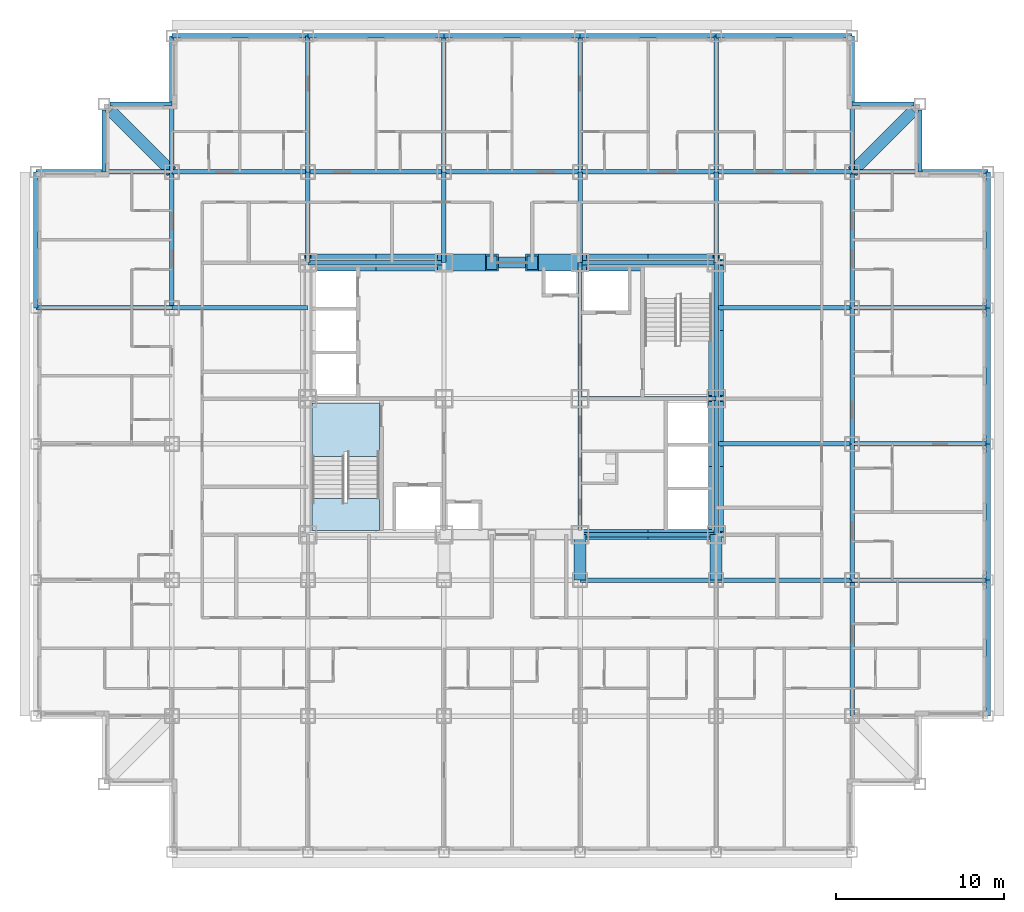
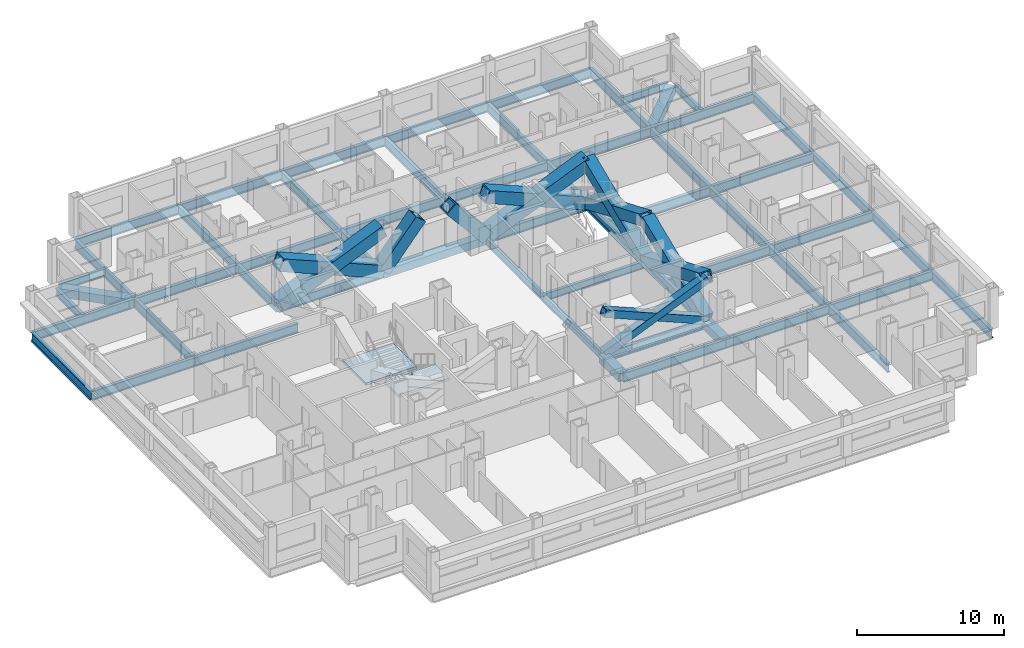
# One storey, part 2 of 14: 58 beams, 12 members, 2 slabs, 1 element without a shape of its own.
"""IFC4 building model written with IfcOpenShell, lengths in metres."""

from ifc_helpers import new_model, si_unit, direction, frame, origin, origin_2d, place, context, subcontext, project, spatial, polyline, hollow_rectangle, i_section, outline, extrude, material, layer, layer_set, material_profile, profile_set, type_object, element, aggregate, save


model = new_model("IFC4")

# Units and contexts
model_context = context("Model", 3, precision=1e-05, world=origin(), true_north=direction((0.0, 1.0)))
body_context = subcontext(model_context, "Body", "Model", "MODEL_VIEW")
ifc_project = project(units=[si_unit("LENGTHUNIT", "METRE"), si_unit("AREAUNIT", "SQUARE_METRE"), si_unit("VOLUMEUNIT", "CUBIC_METRE"), si_unit("PLANEANGLEUNIT", "RADIAN"), si_unit("MASSUNIT", "GRAM", prefix="KILO")], contexts=[model_context])

# Site, building, storey
site_placement = place(None, origin())
site = spatial("IfcSite", under=ifc_project, at=site_placement, CompositionType="ELEMENT")
building_placement = place(site_placement, origin())
building = spatial("IfcBuilding", under=site, at=building_placement, Name="Kopane Lantern Tower", CompositionType="ELEMENT")
storey_placement = place(building_placement, frame((0.0, 0.0, 151.0)))
storey = spatial("IfcBuildingStorey", under=building, at=storey_placement, Name="L39", CompositionType="ELEMENT", Elevation=151.0)

# Members
ifc_material_1 = material(Name="Steel S355JR", Category="steel")
ifc_material_profile_1 = material_profile(ifc_material_1, hollow_rectangle(XDim=1.0, YDim=1.0, WallThickness=0.10009765625, at=origin_2d()), Name="BOX 1000x1000x100")
ifc_profile_set_1 = profile_set([ifc_material_profile_1], Name="Steel S355JR")
member_type_1 = type_object("IfcMemberType", Name="BRACE BOX 1000x1000x100", PredefinedType="BRACE", material=ifc_profile_set_1)
for number, where, z_axis, x_axis, name in (
    (1, (16.199951171875, 40.5, -0.2099609375), (0.922069000757, 0.0, 0.387025526088), (0.0, 1.0, 0.0), "Core brace L39"),
    (2, (24.300048828125, 40.5, -0.2099609375), (-0.922069000757, 0.0, 0.387025526088), (0.0, -1.0, 0.0), "Core brace L39"),
):
    element("IfcMember", number, at=place(storey_placement, frame(where, z_axis=z_axis, x_axis=x_axis)), inside=storey, type_object=member_type_1, Name=name, PredefinedType="BRACE", context=body_context, shape_type="SweptSolid", body=[
        extrude(hollow_rectangle(XDim=1.0, YDim=1.0, WallThickness=0.10009765625, at=origin_2d()), origin(), (0.0, 0.0, 1.0), 8.78466796875),
    ])
for number, where, z_axis, x_axis, name in (
    (3, (24.300048828125, 40.5, -0.2099609375), (0.642390257445, 0.0, 0.7663776857), (0.0, 1.0, 0.0), "Core brace L39"),
    (4, (32.39990234375, 40.5, -0.2099609375), (-0.642390257445, 0.0, 0.7663776857), (0.0, -1.0, 0.0), "Core brace L39"),
):
    element("IfcMember", number, at=place(storey_placement, frame(where, z_axis=z_axis, x_axis=x_axis)), inside=storey, type_object=member_type_1, Name=name, PredefinedType="BRACE", context=body_context, shape_type="SweptSolid", body=[
        extrude(hollow_rectangle(XDim=1.0, YDim=1.0, WallThickness=0.10009765625, at=origin_2d()), origin(), (0.0, 0.0, 1.0), 4.436279296875),
    ])
for number, where, z_axis, x_axis, name in (
    (5, (32.39990234375, 40.5, -0.2099609375), (0.922069000757, 0.0, 0.387025526088), (0.0, 1.0, 0.0), "Core brace L39"),
    (6, (40.5, 40.5, -0.2099609375), (-0.922069000757, 0.0, 0.387025526088), (0.0, -1.0, 0.0), "Core brace L39"),
):
    element("IfcMember", number, at=place(storey_placement, frame(where, z_axis=z_axis, x_axis=x_axis)), inside=storey, type_object=member_type_1, Name=name, PredefinedType="BRACE", context=body_context, shape_type="SweptSolid", body=[
        extrude(hollow_rectangle(XDim=1.0, YDim=1.0, WallThickness=0.10009765625, at=origin_2d()), origin(), (0.0, 0.0, 1.0), 8.78466796875),
    ])
ifc_material_2 = material(Name="Steel S355JR", Category="steel")
ifc_material_profile_2 = material_profile(ifc_material_2, hollow_rectangle(XDim=0.60009765625, YDim=0.60009765625, WallThickness=0.050048828125, at=origin_2d()), Name="BOX 600x600x50")
ifc_profile_set_2 = profile_set([ifc_material_profile_2], Name="Steel S355JR")
member_type_2 = type_object("IfcMemberType", Name="BRACE BOX 600x600x50", PredefinedType="BRACE", material=ifc_profile_set_2)
for number, where, z_axis, x_axis, name in (
    (7, (32.39990234375, 24.300048828125, -0.2099609375), (0.922069000757, 0.0, 0.387025526088), (0.0, 1.0, 0.0), "Core brace L39"),
    (8, (40.5, 24.300048828125, -0.2099609375), (-0.922069000757, 0.0, 0.387025526088), (0.0, -1.0, 0.0), "Core brace L39"),
):
    element("IfcMember", number, at=place(storey_placement, frame(where, z_axis=z_axis, x_axis=x_axis)), inside=storey, type_object=member_type_2, Name=name, PredefinedType="BRACE", context=body_context, shape_type="SweptSolid", body=[
        extrude(hollow_rectangle(XDim=0.60009765625, YDim=0.60009765625, WallThickness=0.050048828125, at=origin_2d()), origin(), (0.0, 0.0, 1.0), 8.78466796875),
    ])
ifc_material_3 = material(Name="Steel S355JR", Category="steel")
ifc_material_profile_3 = material_profile(ifc_material_3, hollow_rectangle(XDim=0.89990234375, YDim=0.89990234375, WallThickness=0.090087890625, at=origin_2d()), Name="BOX 900x900x90")
ifc_profile_set_3 = profile_set([ifc_material_profile_3], Name="Steel S355JR")
member_type_3 = type_object("IfcMemberType", Name="BRACE BOX 900x900x90", PredefinedType="BRACE", material=ifc_profile_set_3)
for number, where, z_axis, x_axis, name in (
    (9, (40.5, 24.300048828125, -0.2099609375), (0.0, 0.922064837731, 0.38703544414), (-1.0, 0.0, 0.0), "Core brace L39"),
    (10, (40.5, 32.39990234375, -0.2099609375), (0.0, -0.922064837731, 0.38703544414), (1.0, 0.0, 0.0), "Core brace L39"),
):
    element("IfcMember", number, at=place(storey_placement, frame(where, z_axis=z_axis, x_axis=x_axis)), inside=storey, type_object=member_type_3, Name=name, PredefinedType="BRACE", context=body_context, shape_type="SweptSolid", body=[
        extrude(hollow_rectangle(XDim=0.89990234375, YDim=0.89990234375, WallThickness=0.090087890625, at=origin_2d()), origin(), (0.0, 0.0, 1.0), 8.784423828125),
    ])
for number, where, z_axis, x_axis, name in (
    (11, (40.5, 32.39990234375, -0.2099609375), (0.0, 0.922069000757, 0.387025526088), (-1.0, 0.0, 0.0), "Core brace L39"),
    (12, (40.5, 40.5, -0.2099609375), (0.0, -0.922069000757, 0.387025526088), (1.0, 0.0, 0.0), "Core brace L39"),
):
    element("IfcMember", number, at=place(storey_placement, frame(where, z_axis=z_axis, x_axis=x_axis)), inside=storey, type_object=member_type_3, Name=name, PredefinedType="BRACE", context=body_context, shape_type="SweptSolid", body=[
        extrude(hollow_rectangle(XDim=0.89990234375, YDim=0.89990234375, WallThickness=0.090087890625, at=origin_2d()), origin(), (0.0, 0.0, 1.0), 8.78466796875),
    ])

# Beams
ifc_material_4 = material(Name="Steel S355JR", Category="steel")
ifc_material_profile_4 = material_profile(ifc_material_4, i_section(OverallWidth=0.22900390625, OverallDepth=0.6123046875, WebThickness=0.011962890625, FlangeThickness=0.01953125, FilletRadius=0.0126953125, at=origin_2d()), Name="UB 610x229x125")
ifc_profile_set_4 = profile_set([ifc_material_profile_4], Name="Steel S355JR")
beam_type_1 = type_object("IfcBeamType", Name="CORE BEAM UB 610x229x125", PredefinedType="BEAM", material=ifc_profile_set_4)
beam_1_placement = place(storey_placement, frame((32.39990234375, 24.300048828125, -0.51611328125), z_axis=(0.0, 1.0, 0.0), x_axis=(-1.0, 0.0, 0.0)))
element("IfcBeam", 13, at=beam_1_placement, inside=storey, type_object=beam_type_1, Name="Core Beam L39", PredefinedType="BEAM", context=body_context, shape_type="SweptSolid", body=[
    extrude(i_section(OverallWidth=0.22900390625, OverallDepth=0.6123046875, WebThickness=0.011962890625, FlangeThickness=0.01953125, FilletRadius=0.0126953125, at=origin_2d()), origin(), (0.0, 0.0, 1.0), 8.099853515625),
])
for number, where, z_axis, x_axis, name in (
    (14, (32.39990234375, 32.39990234375, -0.51611328125), (0.0, 1.0, 0.0), (-1.0, 0.0, 0.0), "Core Beam L39"),
    (15, (32.39990234375, 32.39990234375, -0.51611328125), (1.0, 0.0, 0.0), (0.0, 1.0, 0.0), "Core Beam L39"),
):
    element("IfcBeam", number, at=place(storey_placement, frame(where, z_axis=z_axis, x_axis=x_axis)), inside=storey, type_object=beam_type_1, Name=name, PredefinedType="BEAM", context=body_context, shape_type="SweptSolid", body=[
        extrude(i_section(OverallWidth=0.22900390625, OverallDepth=0.6123046875, WebThickness=0.011962890625, FlangeThickness=0.01953125, FilletRadius=0.0126953125, at=origin_2d()), origin(), (0.0, 0.0, 1.0), 8.10009765625),
    ])
ifc_material_5 = material(Name="Steel S355JR", Category="steel")
ifc_material_profile_5 = material_profile(ifc_material_5, hollow_rectangle(XDim=0.699951171875, YDim=0.699951171875, WallThickness=0.06005859375, at=origin_2d()), Name="BOX 700x700x60")
ifc_profile_set_5 = profile_set([ifc_material_profile_5], Name="Steel S355JR")
beam_type_2 = type_object("IfcBeamType", Name="CORNER TIE BEAM BOX 700x700x60", PredefinedType="BEAM", material=ifc_profile_set_5)
beam_2_placement = place(storey_placement, frame((4.447509765625, 49.552490234375, -0.56005859375), z_axis=(0.707106781187, -0.707106781187, 0.0), x_axis=(0.707106781187, 0.707106781187, 0.0)))
element("IfcBeam", 16, at=beam_2_placement, inside=storey, type_object=beam_type_2, Name="Corner Tie Beam L39", PredefinedType="BEAM", context=body_context, shape_type="SweptSolid", body=[
    extrude(hollow_rectangle(XDim=0.699951171875, YDim=0.699951171875, WallThickness=0.06005859375, at=origin_2d()), origin(), (0.0, 0.0, 1.0), 5.16552734375),
])
beam_3_placement = place(storey_placement, frame((52.25244140625, 49.552490234375, -0.56005859375), z_axis=(-0.707083148333, -0.70713041325, 0.0), x_axis=(0.70713041325, -0.707083148333, 0.0)))
element("IfcBeam", 17, at=beam_3_placement, inside=storey, type_object=beam_type_2, Name="Corner Tie Beam L39", PredefinedType="BEAM", context=body_context, shape_type="SweptSolid", body=[
    extrude(hollow_rectangle(XDim=0.699951171875, YDim=0.699951171875, WallThickness=0.06005859375, at=origin_2d()), origin(), (0.0, 0.0, 1.0), 5.165283203125),
])
ifc_material_6 = material(Name="Steel S355JR", Category="steel")
ifc_material_profile_6 = material_profile(ifc_material_6, i_section(OverallWidth=0.22900390625, OverallDepth=0.6123046875, WebThickness=0.011962890625, FlangeThickness=0.01953125, FilletRadius=0.0126953125, at=origin_2d()), Name="UB 610x229x125")
ifc_profile_set_6 = profile_set([ifc_material_profile_6], Name="Steel S355JR")
beam_type_3 = type_object("IfcBeamType", Name="EDGE BEAM UB 610x229x125", PredefinedType="BEAM", material=ifc_profile_set_6)
for number, where, z_axis, x_axis, name in (
    (18, (4.050048828125, 49.60009765625, -0.51611328125), (0.0, -1.0, 0.0), (1.0, 0.0, 0.0), "Edge Beam L39"),
    (19, (4.39990234375, 49.949951171875, -0.51611328125), (1.0, 0.0, 0.0), (0.0, 1.0, 0.0), "Edge Beam L39"),
):
    element("IfcBeam", number, at=place(storey_placement, frame(where, z_axis=z_axis, x_axis=x_axis)), inside=storey, type_object=beam_type_3, Name=name, PredefinedType="BEAM", context=body_context, shape_type="SweptSolid", body=[
        extrude(i_section(OverallWidth=0.22900390625, OverallDepth=0.6123046875, WebThickness=0.011962890625, FlangeThickness=0.01953125, FilletRadius=0.0126953125, at=origin_2d()), origin(), (0.0, 0.0, 1.0), 3.7001953125),
    ])
beam_4_placement = place(storey_placement, frame((52.300048828125, 49.949951171875, -0.51611328125), z_axis=(-1.0, 0.0, 0.0), x_axis=(0.0, -1.0, 0.0)))
element("IfcBeam", 20, at=beam_4_placement, inside=storey, type_object=beam_type_3, Name="Edge Beam L39", PredefinedType="BEAM", context=body_context, shape_type="SweptSolid", body=[
    extrude(i_section(OverallWidth=0.22900390625, OverallDepth=0.6123046875, WebThickness=0.011962890625, FlangeThickness=0.01953125, FilletRadius=0.0126953125, at=origin_2d()), origin(), (0.0, 0.0, 1.0), 3.699951171875),
])
beam_5_placement = place(storey_placement, frame((52.64990234375, 49.60009765625, -0.51611328125), z_axis=(0.0, -1.0, 0.0), x_axis=(1.0, 0.0, 0.0)))
element("IfcBeam", 21, at=beam_5_placement, inside=storey, type_object=beam_type_3, Name="Edge Beam L39", PredefinedType="BEAM", context=body_context, shape_type="SweptSolid", body=[
    extrude(i_section(OverallWidth=0.22900390625, OverallDepth=0.6123046875, WebThickness=0.011962890625, FlangeThickness=0.01953125, FilletRadius=0.0126953125, at=origin_2d()), origin(), (0.0, 0.0, 1.0), 3.7001953125),
])
ifc_material_7 = material(Name="Steel S355JR", Category="steel")
ifc_material_profile_7 = material_profile(ifc_material_7, hollow_rectangle(XDim=0.699951171875, YDim=0.699951171875, WallThickness=0.06005859375, at=origin_2d()), Name="BOX 700x700x60")
ifc_profile_set_7 = profile_set([ifc_material_profile_7], Name="Steel S355JR")
beam_type_4 = type_object("IfcBeamType", Name="GIRDER BOX 700x700x60", PredefinedType="BEAM", material=ifc_profile_set_7)
for number, where, z_axis, x_axis, name in (
    (22, (32.39990234375, 21.60009765625, -0.56005859375), (0.0, 1.0, 0.0), (-1.0, 0.0, 0.0), "Girder L39"),
    (23, (40.5, 21.60009765625, -0.56005859375), (0.0, 1.0, 0.0), (-1.0, 0.0, 0.0), "Girder L39"),
):
    element("IfcBeam", number, at=place(storey_placement, frame(where, z_axis=z_axis, x_axis=x_axis)), inside=storey, type_object=beam_type_4, Name=name, PredefinedType="BEAM", context=body_context, shape_type="SweptSolid", body=[
        extrude(hollow_rectangle(XDim=0.699951171875, YDim=0.699951171875, WallThickness=0.06005859375, at=origin_2d()), origin(), (0.0, 0.0, 1.0), 2.699951171875),
    ])
ifc_material_8 = material(Name="Steel S355JR", Category="steel")
ifc_material_profile_8 = material_profile(ifc_material_8, i_section(OverallWidth=0.26806640625, OverallDepth=0.769775390625, WebThickness=0.015625, FlangeThickness=0.025390625, FilletRadius=0.0166015625, at=origin_2d()), Name="UB 762x267x197")
ifc_profile_set_8 = profile_set([ifc_material_profile_8], Name="Steel S355JR")
beam_type_5 = type_object("IfcBeamType", Name="GIRDER UB 762x267x197", PredefinedType="BEAM", material=ifc_profile_set_8)
beam_6_placement = place(storey_placement, frame((0.0, 37.800048828125, -0.594970703125), z_axis=(0.0, 1.0, 0.0), x_axis=(-1.0, 0.0, 0.0)))
element("IfcBeam", 24, at=beam_6_placement, inside=storey, type_object=beam_type_5, Name="Girder L39", PredefinedType="BEAM", context=body_context, shape_type="SweptSolid", body=[
    extrude(i_section(OverallWidth=0.26806640625, OverallDepth=0.769775390625, WebThickness=0.015625, FlangeThickness=0.025390625, FilletRadius=0.0166015625, at=origin_2d()), origin(), (0.0, 0.0, 1.0), 8.099853515625),
])
for number, where, z_axis, x_axis, name in (
    (25, (0.0, 37.800048828125, -0.594970703125), (1.0, 0.0, 0.0), (0.0, 1.0, 0.0), "Girder L39"),
    (26, (0.0, 45.89990234375, -0.594970703125), (1.0, 0.0, 0.0), (0.0, 1.0, 0.0), "Girder L39"),
):
    element("IfcBeam", number, at=place(storey_placement, frame(where, z_axis=z_axis, x_axis=x_axis)), inside=storey, type_object=beam_type_5, Name=name, PredefinedType="BEAM", context=body_context, shape_type="SweptSolid", body=[
        extrude(i_section(OverallWidth=0.26806640625, OverallDepth=0.769775390625, WebThickness=0.015625, FlangeThickness=0.025390625, FilletRadius=0.0166015625, at=origin_2d()), origin(), (0.0, 0.0, 1.0), 8.10009765625),
    ])
for number, where, z_axis, x_axis, name in (
    (27, (8.10009765625, 37.800048828125, -0.594970703125), (0.0, 1.0, 0.0), (-1.0, 0.0, 0.0), "Girder L39"),
    (28, (8.10009765625, 37.800048828125, -0.594970703125), (1.0, 0.0, 0.0), (0.0, 1.0, 0.0), "Girder L39"),
):
    element("IfcBeam", number, at=place(storey_placement, frame(where, z_axis=z_axis, x_axis=x_axis)), inside=storey, type_object=beam_type_5, Name=name, PredefinedType="BEAM", context=body_context, shape_type="SweptSolid", body=[
        extrude(i_section(OverallWidth=0.26806640625, OverallDepth=0.769775390625, WebThickness=0.015625, FlangeThickness=0.025390625, FilletRadius=0.0166015625, at=origin_2d()), origin(), (0.0, 0.0, 1.0), 8.099853515625),
    ])
beam_7_placement = place(storey_placement, frame((8.10009765625, 45.89990234375, -0.594970703125), z_axis=(0.0, 1.0, 0.0), x_axis=(-1.0, 0.0, 0.0)))
element("IfcBeam", 29, at=beam_7_placement, inside=storey, type_object=beam_type_5, Name="Girder L39", PredefinedType="BEAM", context=body_context, shape_type="SweptSolid", body=[
    extrude(i_section(OverallWidth=0.26806640625, OverallDepth=0.769775390625, WebThickness=0.015625, FlangeThickness=0.025390625, FilletRadius=0.0166015625, at=origin_2d()), origin(), (0.0, 0.0, 1.0), 8.10009765625),
])
for number, where, z_axis, x_axis, name in (
    (30, (8.10009765625, 45.89990234375, -0.594970703125), (1.0, 0.0, 0.0), (0.0, 1.0, 0.0), "Girder L39"),
    (31, (8.10009765625, 54.0, -0.594970703125), (1.0, 0.0, 0.0), (0.0, 1.0, 0.0), "Girder L39"),
):
    element("IfcBeam", number, at=place(storey_placement, frame(where, z_axis=z_axis, x_axis=x_axis)), inside=storey, type_object=beam_type_5, Name=name, PredefinedType="BEAM", context=body_context, shape_type="SweptSolid", body=[
        extrude(i_section(OverallWidth=0.26806640625, OverallDepth=0.769775390625, WebThickness=0.015625, FlangeThickness=0.025390625, FilletRadius=0.0166015625, at=origin_2d()), origin(), (0.0, 0.0, 1.0), 8.099853515625),
    ])
beam_8_placement = place(storey_placement, frame((16.199951171875, 40.5, -0.594970703125), z_axis=(0.0, 1.0, 0.0), x_axis=(-1.0, 0.0, 0.0)))
element("IfcBeam", 32, at=beam_8_placement, inside=storey, type_object=beam_type_5, Name="Girder L39", PredefinedType="BEAM", context=body_context, shape_type="SweptSolid", body=[
    extrude(i_section(OverallWidth=0.26806640625, OverallDepth=0.769775390625, WebThickness=0.015625, FlangeThickness=0.025390625, FilletRadius=0.0166015625, at=origin_2d()), origin(), (0.0, 0.0, 1.0), 5.39990234375),
])
for number, where, z_axis, x_axis, name in (
    (33, (16.199951171875, 40.5, -0.594970703125), (1.0, 0.0, 0.0), (0.0, 1.0, 0.0), "Girder L39"),
    (34, (16.199951171875, 45.89990234375, -0.594970703125), (0.0, 1.0, 0.0), (-1.0, 0.0, 0.0), "Girder L39"),
    (35, (16.199951171875, 45.89990234375, -0.594970703125), (1.0, 0.0, 0.0), (0.0, 1.0, 0.0), "Girder L39"),
    (36, (16.199951171875, 54.0, -0.594970703125), (1.0, 0.0, 0.0), (0.0, 1.0, 0.0), "Girder L39"),
):
    element("IfcBeam", number, at=place(storey_placement, frame(where, z_axis=z_axis, x_axis=x_axis)), inside=storey, type_object=beam_type_5, Name=name, PredefinedType="BEAM", context=body_context, shape_type="SweptSolid", body=[
        extrude(i_section(OverallWidth=0.26806640625, OverallDepth=0.769775390625, WebThickness=0.015625, FlangeThickness=0.025390625, FilletRadius=0.0166015625, at=origin_2d()), origin(), (0.0, 0.0, 1.0), 8.10009765625),
    ])
beam_9_placement = place(storey_placement, frame((24.300048828125, 40.5, -0.594970703125), z_axis=(0.0, 1.0, 0.0), x_axis=(-1.0, 0.0, 0.0)))
element("IfcBeam", 37, at=beam_9_placement, inside=storey, type_object=beam_type_5, Name="Girder L39", PredefinedType="BEAM", context=body_context, shape_type="SweptSolid", body=[
    extrude(i_section(OverallWidth=0.26806640625, OverallDepth=0.769775390625, WebThickness=0.015625, FlangeThickness=0.025390625, FilletRadius=0.0166015625, at=origin_2d()), origin(), (0.0, 0.0, 1.0), 5.39990234375),
])
beam_10_placement = place(storey_placement, frame((24.300048828125, 45.89990234375, -0.594970703125), z_axis=(0.0, 1.0, 0.0), x_axis=(-1.0, 0.0, 0.0)))
element("IfcBeam", 38, at=beam_10_placement, inside=storey, type_object=beam_type_5, Name="Girder L39", PredefinedType="BEAM", context=body_context, shape_type="SweptSolid", body=[
    extrude(i_section(OverallWidth=0.26806640625, OverallDepth=0.769775390625, WebThickness=0.015625, FlangeThickness=0.025390625, FilletRadius=0.0166015625, at=origin_2d()), origin(), (0.0, 0.0, 1.0), 8.10009765625),
])
for number, where, z_axis, x_axis, name in (
    (39, (24.300048828125, 45.89990234375, -0.594970703125), (1.0, 0.0, 0.0), (0.0, 1.0, 0.0), "Girder L39"),
    (40, (24.300048828125, 54.0, -0.594970703125), (1.0, 0.0, 0.0), (0.0, 1.0, 0.0), "Girder L39"),
):
    element("IfcBeam", number, at=place(storey_placement, frame(where, z_axis=z_axis, x_axis=x_axis)), inside=storey, type_object=beam_type_5, Name=name, PredefinedType="BEAM", context=body_context, shape_type="SweptSolid", body=[
        extrude(i_section(OverallWidth=0.26806640625, OverallDepth=0.769775390625, WebThickness=0.015625, FlangeThickness=0.025390625, FilletRadius=0.0166015625, at=origin_2d()), origin(), (0.0, 0.0, 1.0), 8.099853515625),
    ])
for number, where, z_axis, x_axis, name in (
    (41, (32.39990234375, 21.60009765625, -0.594970703125), (1.0, 0.0, 0.0), (0.0, 1.0, 0.0), "Girder L39"),
    (42, (32.39990234375, 24.300048828125, -0.594970703125), (1.0, 0.0, 0.0), (0.0, 1.0, 0.0), "Girder L39"),
):
    element("IfcBeam", number, at=place(storey_placement, frame(where, z_axis=z_axis, x_axis=x_axis)), inside=storey, type_object=beam_type_5, Name=name, PredefinedType="BEAM", context=body_context, shape_type="SweptSolid", body=[
        extrude(i_section(OverallWidth=0.26806640625, OverallDepth=0.769775390625, WebThickness=0.015625, FlangeThickness=0.025390625, FilletRadius=0.0166015625, at=origin_2d()), origin(), (0.0, 0.0, 1.0), 8.10009765625),
    ])
beam_11_placement = place(storey_placement, frame((32.39990234375, 40.5, -0.594970703125), z_axis=(0.0, 1.0, 0.0), x_axis=(-1.0, 0.0, 0.0)))
element("IfcBeam", 43, at=beam_11_placement, inside=storey, type_object=beam_type_5, Name="Girder L39", PredefinedType="BEAM", context=body_context, shape_type="SweptSolid", body=[
    extrude(i_section(OverallWidth=0.26806640625, OverallDepth=0.769775390625, WebThickness=0.015625, FlangeThickness=0.025390625, FilletRadius=0.0166015625, at=origin_2d()), origin(), (0.0, 0.0, 1.0), 5.39990234375),
])
for number, where, z_axis, x_axis, name in (
    (44, (32.39990234375, 40.5, -0.594970703125), (1.0, 0.0, 0.0), (0.0, 1.0, 0.0), "Girder L39"),
    (45, (32.39990234375, 45.89990234375, -0.594970703125), (0.0, 1.0, 0.0), (-1.0, 0.0, 0.0), "Girder L39"),
    (46, (32.39990234375, 45.89990234375, -0.594970703125), (1.0, 0.0, 0.0), (0.0, 1.0, 0.0), "Girder L39"),
    (47, (32.39990234375, 54.0, -0.594970703125), (1.0, 0.0, 0.0), (0.0, 1.0, 0.0), "Girder L39"),
    (48, (40.5, 21.60009765625, -0.594970703125), (1.0, 0.0, 0.0), (0.0, 1.0, 0.0), "Girder L39"),
):
    element("IfcBeam", number, at=place(storey_placement, frame(where, z_axis=z_axis, x_axis=x_axis)), inside=storey, type_object=beam_type_5, Name=name, PredefinedType="BEAM", context=body_context, shape_type="SweptSolid", body=[
        extrude(i_section(OverallWidth=0.26806640625, OverallDepth=0.769775390625, WebThickness=0.015625, FlangeThickness=0.025390625, FilletRadius=0.0166015625, at=origin_2d()), origin(), (0.0, 0.0, 1.0), 8.10009765625),
    ])
beam_12_placement = place(storey_placement, frame((40.5, 24.300048828125, -0.594970703125), z_axis=(0.0, 1.0, 0.0), x_axis=(-1.0, 0.0, 0.0)))
element("IfcBeam", 49, at=beam_12_placement, inside=storey, type_object=beam_type_5, Name="Girder L39", PredefinedType="BEAM", context=body_context, shape_type="SweptSolid", body=[
    extrude(i_section(OverallWidth=0.26806640625, OverallDepth=0.769775390625, WebThickness=0.015625, FlangeThickness=0.025390625, FilletRadius=0.0166015625, at=origin_2d()), origin(), (0.0, 0.0, 1.0), 8.099853515625),
])
for number, where, z_axis, x_axis, name in (
    (50, (40.5, 29.699951171875, -0.594970703125), (1.0, 0.0, 0.0), (0.0, 1.0, 0.0), "Girder L39"),
    (51, (40.5, 32.39990234375, -0.594970703125), (0.0, 1.0, 0.0), (-1.0, 0.0, 0.0), "Girder L39"),
    (52, (40.5, 37.800048828125, -0.594970703125), (1.0, 0.0, 0.0), (0.0, 1.0, 0.0), "Girder L39"),
):
    element("IfcBeam", number, at=place(storey_placement, frame(where, z_axis=z_axis, x_axis=x_axis)), inside=storey, type_object=beam_type_5, Name=name, PredefinedType="BEAM", context=body_context, shape_type="SweptSolid", body=[
        extrude(i_section(OverallWidth=0.26806640625, OverallDepth=0.769775390625, WebThickness=0.015625, FlangeThickness=0.025390625, FilletRadius=0.0166015625, at=origin_2d()), origin(), (0.0, 0.0, 1.0), 8.10009765625),
    ])
beam_13_placement = place(storey_placement, frame((40.5, 40.5, -0.594970703125), z_axis=(0.0, 1.0, 0.0), x_axis=(-1.0, 0.0, 0.0)))
element("IfcBeam", 53, at=beam_13_placement, inside=storey, type_object=beam_type_5, Name="Girder L39", PredefinedType="BEAM", context=body_context, shape_type="SweptSolid", body=[
    extrude(i_section(OverallWidth=0.26806640625, OverallDepth=0.769775390625, WebThickness=0.015625, FlangeThickness=0.025390625, FilletRadius=0.0166015625, at=origin_2d()), origin(), (0.0, 0.0, 1.0), 5.39990234375),
])
for number, where, z_axis, x_axis, name in (
    (54, (40.5, 45.89990234375, -0.594970703125), (0.0, 1.0, 0.0), (-1.0, 0.0, 0.0), "Girder L39"),
    (55, (40.5, 45.89990234375, -0.594970703125), (1.0, 0.0, 0.0), (0.0, 1.0, 0.0), "Girder L39"),
    (56, (40.5, 54.0, -0.594970703125), (1.0, 0.0, 0.0), (0.0, 1.0, 0.0), "Girder L39"),
    (57, (48.60009765625, 13.5, -0.594970703125), (0.0, 1.0, 0.0), (-1.0, 0.0, 0.0), "Girder L39"),
):
    element("IfcBeam", number, at=place(storey_placement, frame(where, z_axis=z_axis, x_axis=x_axis)), inside=storey, type_object=beam_type_5, Name=name, PredefinedType="BEAM", context=body_context, shape_type="SweptSolid", body=[
        extrude(i_section(OverallWidth=0.26806640625, OverallDepth=0.769775390625, WebThickness=0.015625, FlangeThickness=0.025390625, FilletRadius=0.0166015625, at=origin_2d()), origin(), (0.0, 0.0, 1.0), 8.10009765625),
    ])
for number, where, z_axis, x_axis, name in (
    (58, (48.60009765625, 21.60009765625, -0.594970703125), (0.0, 1.0, 0.0), (-1.0, 0.0, 0.0), "Girder L39"),
    (59, (48.60009765625, 21.60009765625, -0.594970703125), (1.0, 0.0, 0.0), (0.0, 1.0, 0.0), "Girder L39"),
):
    element("IfcBeam", number, at=place(storey_placement, frame(where, z_axis=z_axis, x_axis=x_axis)), inside=storey, type_object=beam_type_5, Name=name, PredefinedType="BEAM", context=body_context, shape_type="SweptSolid", body=[
        extrude(i_section(OverallWidth=0.26806640625, OverallDepth=0.769775390625, WebThickness=0.015625, FlangeThickness=0.025390625, FilletRadius=0.0166015625, at=origin_2d()), origin(), (0.0, 0.0, 1.0), 8.099853515625),
    ])
beam_14_placement = place(storey_placement, frame((48.60009765625, 29.699951171875, -0.594970703125), z_axis=(0.0, 1.0, 0.0), x_axis=(-1.0, 0.0, 0.0)))
element("IfcBeam", 60, at=beam_14_placement, inside=storey, type_object=beam_type_5, Name="Girder L39", PredefinedType="BEAM", context=body_context, shape_type="SweptSolid", body=[
    extrude(i_section(OverallWidth=0.26806640625, OverallDepth=0.769775390625, WebThickness=0.015625, FlangeThickness=0.025390625, FilletRadius=0.0166015625, at=origin_2d()), origin(), (0.0, 0.0, 1.0), 8.10009765625),
])
for number, where, z_axis, x_axis, name in (
    (61, (48.60009765625, 29.699951171875, -0.594970703125), (1.0, 0.0, 0.0), (0.0, 1.0, 0.0), "Girder L39"),
    (62, (48.60009765625, 37.800048828125, -0.594970703125), (0.0, 1.0, 0.0), (-1.0, 0.0, 0.0), "Girder L39"),
    (63, (48.60009765625, 37.800048828125, -0.594970703125), (1.0, 0.0, 0.0), (0.0, 1.0, 0.0), "Girder L39"),
):
    element("IfcBeam", number, at=place(storey_placement, frame(where, z_axis=z_axis, x_axis=x_axis)), inside=storey, type_object=beam_type_5, Name=name, PredefinedType="BEAM", context=body_context, shape_type="SweptSolid", body=[
        extrude(i_section(OverallWidth=0.26806640625, OverallDepth=0.769775390625, WebThickness=0.015625, FlangeThickness=0.025390625, FilletRadius=0.0166015625, at=origin_2d()), origin(), (0.0, 0.0, 1.0), 8.099853515625),
    ])
beam_15_placement = place(storey_placement, frame((48.60009765625, 45.89990234375, -0.594970703125), z_axis=(0.0, 1.0, 0.0), x_axis=(-1.0, 0.0, 0.0)))
element("IfcBeam", 64, at=beam_15_placement, inside=storey, type_object=beam_type_5, Name="Girder L39", PredefinedType="BEAM", context=body_context, shape_type="SweptSolid", body=[
    extrude(i_section(OverallWidth=0.26806640625, OverallDepth=0.769775390625, WebThickness=0.015625, FlangeThickness=0.025390625, FilletRadius=0.0166015625, at=origin_2d()), origin(), (0.0, 0.0, 1.0), 8.10009765625),
])
beam_16_placement = place(storey_placement, frame((48.60009765625, 45.89990234375, -0.594970703125), z_axis=(1.0, 0.0, 0.0), x_axis=(0.0, 1.0, 0.0)))
element("IfcBeam", 65, at=beam_16_placement, inside=storey, type_object=beam_type_5, Name="Girder L39", PredefinedType="BEAM", context=body_context, shape_type="SweptSolid", body=[
    extrude(i_section(OverallWidth=0.26806640625, OverallDepth=0.769775390625, WebThickness=0.015625, FlangeThickness=0.025390625, FilletRadius=0.0166015625, at=origin_2d()), origin(), (0.0, 0.0, 1.0), 8.099853515625),
])
beam_17_placement = place(storey_placement, frame((56.699951171875, 13.5, -0.594970703125), z_axis=(0.0, 1.0, 0.0), x_axis=(-1.0, 0.0, 0.0)))
element("IfcBeam", 66, at=beam_17_placement, inside=storey, type_object=beam_type_5, Name="Girder L39", PredefinedType="BEAM", context=body_context, shape_type="SweptSolid", body=[
    extrude(i_section(OverallWidth=0.26806640625, OverallDepth=0.769775390625, WebThickness=0.015625, FlangeThickness=0.025390625, FilletRadius=0.0166015625, at=origin_2d()), origin(), (0.0, 0.0, 1.0), 8.10009765625),
])
beam_18_placement = place(storey_placement, frame((56.699951171875, 21.60009765625, -0.594970703125), z_axis=(0.0, 1.0, 0.0), x_axis=(-1.0, 0.0, 0.0)))
element("IfcBeam", 67, at=beam_18_placement, inside=storey, type_object=beam_type_5, Name="Girder L39", PredefinedType="BEAM", context=body_context, shape_type="SweptSolid", body=[
    extrude(i_section(OverallWidth=0.26806640625, OverallDepth=0.769775390625, WebThickness=0.015625, FlangeThickness=0.025390625, FilletRadius=0.0166015625, at=origin_2d()), origin(), (0.0, 0.0, 1.0), 8.099853515625),
])
beam_19_placement = place(storey_placement, frame((56.699951171875, 29.699951171875, -0.594970703125), z_axis=(0.0, 1.0, 0.0), x_axis=(-1.0, 0.0, 0.0)))
element("IfcBeam", 68, at=beam_19_placement, inside=storey, type_object=beam_type_5, Name="Girder L39", PredefinedType="BEAM", context=body_context, shape_type="SweptSolid", body=[
    extrude(i_section(OverallWidth=0.26806640625, OverallDepth=0.769775390625, WebThickness=0.015625, FlangeThickness=0.025390625, FilletRadius=0.0166015625, at=origin_2d()), origin(), (0.0, 0.0, 1.0), 8.10009765625),
])
beam_20_placement = place(storey_placement, frame((56.699951171875, 37.800048828125, -0.594970703125), z_axis=(0.0, 1.0, 0.0), x_axis=(-1.0, 0.0, 0.0)))
element("IfcBeam", 69, at=beam_20_placement, inside=storey, type_object=beam_type_5, Name="Girder L39", PredefinedType="BEAM", context=body_context, shape_type="SweptSolid", body=[
    extrude(i_section(OverallWidth=0.26806640625, OverallDepth=0.769775390625, WebThickness=0.015625, FlangeThickness=0.025390625, FilletRadius=0.0166015625, at=origin_2d()), origin(), (0.0, 0.0, 1.0), 8.099853515625),
])
ifc_material_9 = material(Name="Steel S355JR", Category="steel")
ifc_material_profile_9 = material_profile(ifc_material_9, hollow_rectangle(XDim=0.64990234375, YDim=0.64990234375, WallThickness=0.070068359375, at=origin_2d()), Name="BOX 650x650x70")
ifc_profile_set_9 = profile_set([ifc_material_profile_9], Name="Steel S355JR")
beam_type_6 = type_object("IfcBeamType", Name="LINK BEAM BOX 650x650x70", PredefinedType="BEAM", material=ifc_profile_set_9)
beam_21_placement = place(storey_placement, frame((24.300048828125, 40.5, -0.534912109375), z_axis=(1.0, 0.0, 0.0), x_axis=(0.0, 1.0, 0.0)))
element("IfcBeam", 70, at=beam_21_placement, inside=storey, type_object=beam_type_6, Name="Link Beam L39", PredefinedType="BEAM", context=body_context, shape_type="SweptSolid", body=[
    extrude(hollow_rectangle(XDim=0.64990234375, YDim=0.64990234375, WallThickness=0.070068359375, at=origin_2d()), origin(), (0.0, 0.0, 1.0), 8.099853515625),
])

# Stair, slabs
ifc_material_10 = material(Name="Steel S355JR", Category="steel")
stair_type = type_object("IfcStairType", Name="EXIT STAIR 1900 HALF TURN", PredefinedType="HALF_TURN_STAIR", material=ifc_material_10)
stair_placement = place(storey_placement, origin())
stair = element("IfcStair", 71, at=stair_placement, inside=storey, type_object=stair_type, Name="Exit stair ST1 L39", PredefinedType="HALF_TURN_STAIR")
ifc_material_11 = material(Name="Concrete C40/50", Category="concrete")
ifc_layer = layer(ifc_material_11, 0.199951171875)
ifc_layer_set = layer_set([ifc_layer], Name="STAIR LANDING 200")
slab_type = type_object("IfcSlabType", Name="STAIR LANDING 200", PredefinedType="LANDING", material=ifc_layer_set)
slab_1_placement = place(storey_placement, frame((0.0, 0.0, -0.199951171875)))
slab_1 = element("IfcSlab", 72, at=slab_1_placement, type_object=slab_type, Name="ST1 landing 1", PredefinedType="LANDING", context=body_context, shape_type="SweptSolid", body=[
    extrude(outline(polyline([(18.35009765625, 29.25), (18.550048828125, 29.25), (18.550048828125, 28.969970703125), (20.449951171875, 28.969970703125), (20.449951171875, 32.14990234375), (16.449951171875, 32.14990234375), (16.449951171875, 28.969970703125), (18.35009765625, 28.969970703125), (18.35009765625, 29.25)])), origin(), (0.0, 0.0, 1.0), 0.199951171875),
])
slab_2_placement = place(storey_placement, frame((0.0, 0.0, 1.5)))
slab_2 = element("IfcSlab", 73, at=slab_2_placement, type_object=slab_type, Name="ST1 landing 2", PredefinedType="LANDING", context=body_context, shape_type="SweptSolid", body=[
    extrude(outline(polyline([(20.449951171875, 26.449951171875), (18.550048828125, 26.449951171875), (18.550048828125, 26.169921875), (18.35009765625, 26.169921875), (18.35009765625, 26.449951171875), (16.449951171875, 26.449951171875), (16.449951171875, 24.550048828125), (20.449951171875, 24.550048828125), (20.449951171875, 26.449951171875)])), origin(), (0.0, 0.0, 1.0), 0.199951171875),
])
aggregate(stair, [slab_1, slab_2])

save(model, "model.ifc")
